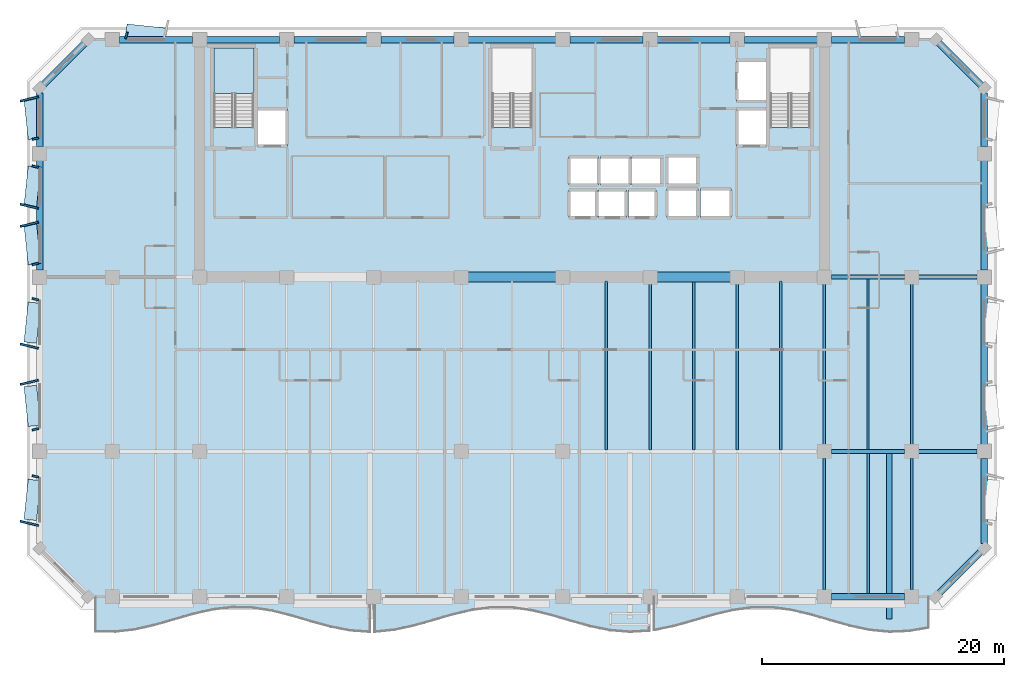
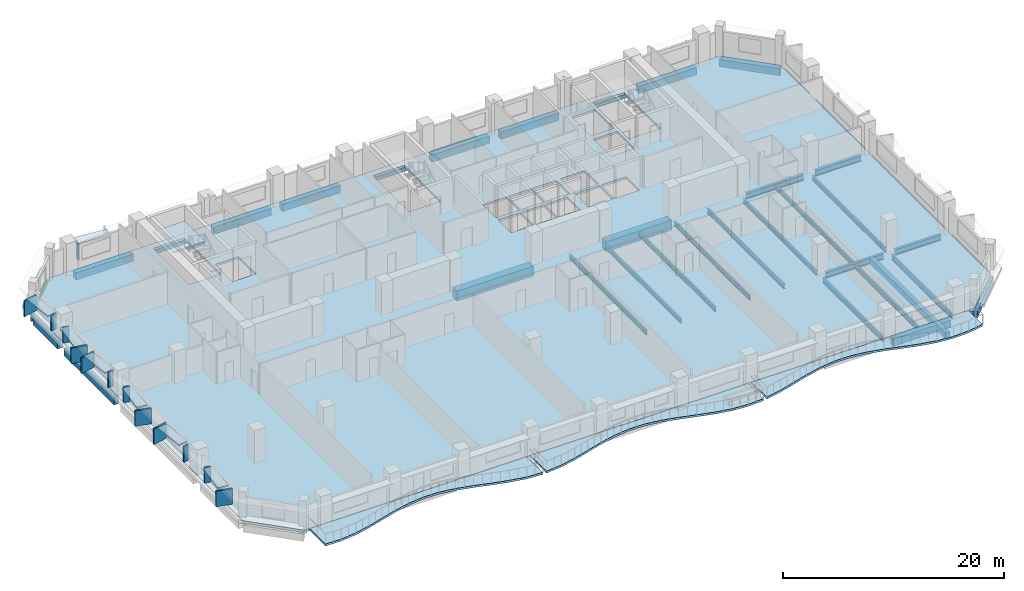
# One storey, part 2 of 14: 37 beams, 20 plates, 5 slabs, 1 element without a shape of its own.
"""IFC4 building model written with IfcOpenShell, lengths in metres."""

from ifc_helpers import new_model, si_unit, direction, frame, origin, origin_2d, place, context, subcontext, project, spatial, polyline, rectangle, i_section, outline, extrude, material, layer, layer_set, material_profile, profile_set, type_object, element, aggregate, save


model = new_model("IFC4")

# Units and contexts
model_context = context("Model", 3, precision=1e-05, world=origin(), true_north=direction((0.0, 1.0)))
body_context = subcontext(model_context, "Body", "Model", "MODEL_VIEW")
ifc_project = project(units=[si_unit("LENGTHUNIT", "METRE"), si_unit("AREAUNIT", "SQUARE_METRE"), si_unit("VOLUMEUNIT", "CUBIC_METRE"), si_unit("PLANEANGLEUNIT", "RADIAN"), si_unit("MASSUNIT", "GRAM", prefix="KILO")], contexts=[model_context])

# Site, building, storey
site_placement = place(None, origin())
site = spatial("IfcSite", under=ifc_project, at=site_placement, CompositionType="ELEMENT")
building_placement = place(site_placement, origin())
building = spatial("IfcBuilding", under=site, at=building_placement, Name="Kaelvorn Grand Hotel", CompositionType="ELEMENT")
storey_placement = place(building_placement, frame((0.0, 0.0, 209.14990234375)))
storey = spatial("IfcBuildingStorey", under=building, at=storey_placement, Name="L51", CompositionType="ELEMENT", Elevation=209.14990234375)

# Beams
ifc_material_1 = material(Name="Steel S355", Category="steel")
ifc_material_profile_1 = material_profile(ifc_material_1, i_section(OverallWidth=0.300048828125, OverallDepth=0.64990234375, WebThickness=0.01611328125, FlangeThickness=0.031005859375, FilletRadius=0.027099609375, at=origin_2d()), Name="HEB 650")
ifc_profile_set_1 = profile_set([ifc_material_profile_1], Name="Steel S355")
beam_type_1 = type_object("IfcBeamType", Name="BM-G-HEB650-S355", PredefinedType="BEAM", material=ifc_profile_set_1)
beam_1_placement = place(storey_placement, frame((68.385009765625, 15.0, -0.56494140625), z_axis=(1.0, 0.0, 0.0), x_axis=(0.0, 1.0, 0.0)))
element("IfcBeam", 1, at=beam_1_placement, inside=storey, type_object=beam_type_1, Name="L51 Primary Spine Steel Girder G-15 06", PredefinedType="BEAM", context=body_context, shape_type="SweptSolid", body=[
    extrude(i_section(OverallWidth=0.300048828125, OverallDepth=0.64990234375, WebThickness=0.01611328125, FlangeThickness=0.031005859375, FilletRadius=0.027099609375, at=origin_2d()), origin(), (0.0, 0.0, 1.0), 6.030029296875),
])
beam_2_placement = place(storey_placement, frame((75.5849609375, 15.0, -0.56494140625), z_axis=(1.0, 0.0, 0.0), x_axis=(0.0, 1.0, 0.0)))
element("IfcBeam", 2, at=beam_2_placement, inside=storey, type_object=beam_type_1, Name="L51 Primary Spine Steel Girder G-15 07", PredefinedType="BEAM", context=body_context, shape_type="SweptSolid", body=[
    extrude(i_section(OverallWidth=0.300048828125, OverallDepth=0.64990234375, WebThickness=0.01611328125, FlangeThickness=0.031005859375, FilletRadius=0.027099609375, at=origin_2d()), origin(), (0.0, 0.0, 1.0), 4.830078125),
])
beam_3_placement = place(storey_placement, frame((68.385009765625, 29.39990234375, -0.56494140625), z_axis=(1.0, 0.0, 0.0), x_axis=(0.0, 1.0, 0.0)))
element("IfcBeam", 3, at=beam_3_placement, inside=storey, type_object=beam_type_1, Name="L51 East Core Wing Steel Girder G-29E 01", PredefinedType="BEAM", context=body_context, shape_type="SweptSolid", body=[
    extrude(i_section(OverallWidth=0.300048828125, OverallDepth=0.64990234375, WebThickness=0.01611328125, FlangeThickness=0.031005859375, FilletRadius=0.027099609375, at=origin_2d()), origin(), (0.0, 0.0, 1.0), 6.030029296875),
])
beam_4_placement = place(storey_placement, frame((75.5849609375, 29.39990234375, -0.56494140625), z_axis=(1.0, 0.0, 0.0), x_axis=(0.0, 1.0, 0.0)))
element("IfcBeam", 4, at=beam_4_placement, inside=storey, type_object=beam_type_1, Name="L51 East Core Wing Steel Girder G-29E 02", PredefinedType="BEAM", context=body_context, shape_type="SweptSolid", body=[
    extrude(i_section(OverallWidth=0.300048828125, OverallDepth=0.64990234375, WebThickness=0.01611328125, FlangeThickness=0.031005859375, FilletRadius=0.027099609375, at=origin_2d()), origin(), (0.0, 0.0, 1.0), 4.830078125),
])
ifc_material_profile_2 = material_profile(ifc_material_1, i_section(OverallWidth=0.199951171875, OverallDepth=0.5, WebThickness=0.01025390625, FlangeThickness=0.01611328125, FilletRadius=0.02099609375, at=origin_2d()), Name="IPE 500")
ifc_profile_set_2 = profile_set([ifc_material_profile_2], Name="Steel S355")
beam_type_2 = type_object("IfcBeamType", Name="BM-J-IPE500-S355", PredefinedType="JOIST", material=ifc_profile_set_2)
beam_5_placement = place(storey_placement, frame((49.800048828125, 15.135009765625, -0.489990234375), z_axis=(0.0, 1.0, 0.0), x_axis=(-1.0, 0.0, 0.0)))
element("IfcBeam", 5, at=beam_5_placement, inside=storey, type_object=beam_type_2, Name="L51 Composite Floor Joist JM-14", PredefinedType="JOIST", context=body_context, shape_type="SweptSolid", body=[
    extrude(i_section(OverallWidth=0.199951171875, OverallDepth=0.5, WebThickness=0.01025390625, FlangeThickness=0.01611328125, FilletRadius=0.02099609375, at=origin_2d()), origin(), (0.0, 0.0, 1.0), 13.925048828125),
])
beam_6_placement = place(storey_placement, frame((53.39990234375, 15.135009765625, -0.489990234375), z_axis=(0.0, 1.0, 0.0), x_axis=(-1.0, 0.0, 0.0)))
element("IfcBeam", 6, at=beam_6_placement, inside=storey, type_object=beam_type_2, Name="L51 Composite Floor Joist JM-15", PredefinedType="JOIST", context=body_context, shape_type="SweptSolid", body=[
    extrude(i_section(OverallWidth=0.199951171875, OverallDepth=0.5, WebThickness=0.01025390625, FlangeThickness=0.01611328125, FilletRadius=0.02099609375, at=origin_2d()), origin(), (0.0, 0.0, 1.0), 13.679931640625),
])
beam_7_placement = place(storey_placement, frame((57.0, 15.135009765625, -0.489990234375), z_axis=(0.0, 1.0, 0.0), x_axis=(-1.0, 0.0, 0.0)))
element("IfcBeam", 7, at=beam_7_placement, inside=storey, type_object=beam_type_2, Name="L51 Composite Floor Joist JM-16", PredefinedType="JOIST", context=body_context, shape_type="SweptSolid", body=[
    extrude(i_section(OverallWidth=0.199951171875, OverallDepth=0.5, WebThickness=0.01025390625, FlangeThickness=0.01611328125, FilletRadius=0.02099609375, at=origin_2d()), origin(), (0.0, 0.0, 1.0), 13.925048828125),
])
beam_8_placement = place(storey_placement, frame((60.60009765625, 15.135009765625, -0.489990234375), z_axis=(0.0, 1.0, 0.0), x_axis=(-1.0, 0.0, 0.0)))
element("IfcBeam", 8, at=beam_8_placement, inside=storey, type_object=beam_type_2, Name="L51 Composite Floor Joist JM-17", PredefinedType="JOIST", context=body_context, shape_type="SweptSolid", body=[
    extrude(i_section(OverallWidth=0.199951171875, OverallDepth=0.5, WebThickness=0.01025390625, FlangeThickness=0.01611328125, FilletRadius=0.02099609375, at=origin_2d()), origin(), (0.0, 0.0, 1.0), 13.679931640625),
])
beam_9_placement = place(storey_placement, frame((64.199951171875, 15.135009765625, -0.489990234375), z_axis=(0.0, 1.0, 0.0), x_axis=(-1.0, 0.0, 0.0)))
element("IfcBeam", 9, at=beam_9_placement, inside=storey, type_object=beam_type_2, Name="L51 Composite Floor Joist JM-18", PredefinedType="JOIST", context=body_context, shape_type="SweptSolid", body=[
    extrude(i_section(OverallWidth=0.199951171875, OverallDepth=0.5, WebThickness=0.01025390625, FlangeThickness=0.01611328125, FilletRadius=0.02099609375, at=origin_2d()), origin(), (0.0, 0.0, 1.0), 13.925048828125),
])
beam_10_placement = place(storey_placement, frame((67.800048828125, 15.5849609375, -0.489990234375), z_axis=(0.0, 1.0, 0.0), x_axis=(-1.0, 0.0, 0.0)))
element("IfcBeam", 10, at=beam_10_placement, inside=storey, type_object=beam_type_2, Name="L51 Composite Floor Joist JM-19", PredefinedType="JOIST", context=body_context, shape_type="SweptSolid", body=[
    extrude(i_section(OverallWidth=0.199951171875, OverallDepth=0.5, WebThickness=0.01025390625, FlangeThickness=0.01611328125, FilletRadius=0.02099609375, at=origin_2d()), origin(), (0.0, 0.0, 1.0), 13.22998046875),
])
beam_11_placement = place(storey_placement, frame((71.39990234375, 15.135009765625, -0.489990234375), z_axis=(0.0, 1.0, 0.0), x_axis=(-1.0, 0.0, 0.0)))
element("IfcBeam", 11, at=beam_11_placement, inside=storey, type_object=beam_type_2, Name="L51 Composite Floor Joist JM-20", PredefinedType="JOIST", context=body_context, shape_type="SweptSolid", body=[
    extrude(i_section(OverallWidth=0.199951171875, OverallDepth=0.5, WebThickness=0.01025390625, FlangeThickness=0.01611328125, FilletRadius=0.02099609375, at=origin_2d()), origin(), (0.0, 0.0, 1.0), 14.1298828125),
])
beam_12_placement = place(storey_placement, frame((75.0, 15.5849609375, -0.489990234375), z_axis=(0.0, 1.0, 0.0), x_axis=(-1.0, 0.0, 0.0)))
element("IfcBeam", 12, at=beam_12_placement, inside=storey, type_object=beam_type_2, Name="L51 Composite Floor Joist JM-21", PredefinedType="JOIST", context=body_context, shape_type="SweptSolid", body=[
    extrude(i_section(OverallWidth=0.199951171875, OverallDepth=0.5, WebThickness=0.01025390625, FlangeThickness=0.01611328125, FilletRadius=0.02099609375, at=origin_2d()), origin(), (0.0, 0.0, 1.0), 13.22998046875),
])
ifc_material_profile_3 = material_profile(ifc_material_1, i_section(OverallWidth=0.2099609375, OverallDepth=0.550048828125, WebThickness=0.010986328125, FlangeThickness=0.01708984375, FilletRadius=0.02392578125, at=origin_2d()), Name="IPE 550")
ifc_profile_set_3 = profile_set([ifc_material_profile_3], Name="Steel S355")
beam_type_3 = type_object("IfcBeamType", Name="BM-J-IPE550-S355", PredefinedType="JOIST", material=ifc_profile_set_3)
beam_13_placement = place(storey_placement, frame((67.800048828125, 3.5849609375, -0.514892578125), z_axis=(0.0, 1.0, 0.0), x_axis=(-1.0, 0.0, 0.0)))
element("IfcBeam", 13, at=beam_13_placement, inside=storey, type_object=beam_type_3, Name="L51 Composite Floor Joist JS-19", PredefinedType="JOIST", context=body_context, shape_type="SweptSolid", body=[
    extrude(i_section(OverallWidth=0.2099609375, OverallDepth=0.550048828125, WebThickness=0.010986328125, FlangeThickness=0.01708984375, FilletRadius=0.02392578125, at=origin_2d()), origin(), (0.0, 0.0, 1.0), 10.830078125),
])
beam_14_placement = place(storey_placement, frame((71.39990234375, 3.260009765625, -0.514892578125), z_axis=(0.0, 1.0, 0.0), x_axis=(-1.0, 0.0, 0.0)))
element("IfcBeam", 14, at=beam_14_placement, inside=storey, type_object=beam_type_3, Name="L51 Composite Floor Joist JS-20", PredefinedType="JOIST", context=body_context, shape_type="SweptSolid", body=[
    extrude(i_section(OverallWidth=0.2099609375, OverallDepth=0.550048828125, WebThickness=0.010986328125, FlangeThickness=0.01708984375, FilletRadius=0.02392578125, at=origin_2d()), origin(), (0.0, 0.0, 1.0), 11.60498046875),
])
beam_15_placement = place(storey_placement, frame((75.0, 3.5849609375, -0.514892578125), z_axis=(0.0, 1.0, 0.0), x_axis=(-1.0, 0.0, 0.0)))
element("IfcBeam", 15, at=beam_15_placement, inside=storey, type_object=beam_type_3, Name="L51 Composite Floor Joist JS-21", PredefinedType="JOIST", context=body_context, shape_type="SweptSolid", body=[
    extrude(i_section(OverallWidth=0.2099609375, OverallDepth=0.550048828125, WebThickness=0.010986328125, FlangeThickness=0.01708984375, FilletRadius=0.02392578125, at=origin_2d()), origin(), (0.0, 0.0, 1.0), 10.830078125),
])
ifc_material_2 = material(Name="Concrete C60/75", Category="concrete")
ifc_material_profile_4 = material_profile(ifc_material_2, rectangle(XDim=0.800048828125, YDim=1.10009765625, at=origin_2d()), Name="RC LINTEL 800x1100")
ifc_profile_set_4 = profile_set([ifc_material_profile_4], Name="Concrete C60/75")
beam_type_4 = type_object("IfcBeamType", Name="BM-LIN-800x1100-C60", PredefinedType="LINTEL", material=ifc_profile_set_4)
beam_16_placement = place(storey_placement, frame((37.97998046875, 29.39990234375, -0.789794921875), z_axis=(1.0, 0.0, 0.0), x_axis=(0.0, 1.0, 0.0)))
element("IfcBeam", 16, at=beam_16_placement, inside=storey, type_object=beam_type_4, Name="L51 Rear-Core Coupling Lintel Beam CB1-02", PredefinedType="LINTEL", context=body_context, shape_type="SweptSolid", body=[
    extrude(rectangle(XDim=0.800048828125, YDim=1.10009765625, at=origin_2d()), origin(), (0.0, 0.0, 1.0), 8.0400390625),
])
beam_17_placement = place(storey_placement, frame((53.580078125, 29.39990234375, -0.789794921875), z_axis=(1.0, 0.0, 0.0), x_axis=(0.0, 1.0, 0.0)))
element("IfcBeam", 17, at=beam_17_placement, inside=storey, type_object=beam_type_4, Name="L51 Rear-Core Coupling Lintel Beam CB1-03", PredefinedType="LINTEL", context=body_context, shape_type="SweptSolid", body=[
    extrude(rectangle(XDim=0.800048828125, YDim=1.10009765625, at=origin_2d()), origin(), (0.0, 0.0, 1.0), 6.83984375),
])
ifc_material_3 = material(Name="Concrete C40/50", Category="concrete")
ifc_material_profile_5 = material_profile(ifc_material_3, rectangle(XDim=0.449951171875, YDim=0.64990234375, at=origin_2d()), Name="RC RIB 450x650")
ifc_profile_set_5 = profile_set([ifc_material_profile_5], Name="Concrete C40/50")
beam_type_5 = type_object("IfcBeamType", Name="BM-RIB-450x650-C40", PredefinedType="SPANDREL", material=ifc_profile_set_5)
beam_18_placement = place(storey_placement, frame((73.161865234375, 1.14990234375, -0.544921875), z_axis=(0.0, 1.0, 0.0), x_axis=(-1.0, 0.0, 0.0)))
element("IfcBeam", 18, at=beam_18_placement, inside=storey, type_object=beam_type_5, Name="L51 Cantilevered Balcony Back-Span Rib RB1-3", PredefinedType="SPANDREL", context=body_context, shape_type="SweptSolid", body=[
    extrude(rectangle(XDim=0.449951171875, YDim=0.64990234375, at=origin_2d()), origin(), (0.0, 0.0, 1.0), 13.715087890625),
])
ifc_material_4 = material(Name="Concrete C50/60", Category="concrete")
ifc_material_profile_6 = material_profile(ifc_material_4, rectangle(XDim=0.550048828125, YDim=0.800048828125, at=origin_2d()), Name="RC SPANDREL 550x800")
ifc_profile_set_6 = profile_set([ifc_material_profile_6], Name="Concrete C50/60")
beam_type_6 = type_object("IfcBeamType", Name="BM-SP-550x800-C50", PredefinedType="SPANDREL", material=ifc_profile_set_6)
for number, where, z_axis, x_axis, name in (
    (19, (68.385009765625, 3.0, -0.639892578125), (1.0, 0.0, 0.0), (0.0, 1.0, 0.0), "L51 South Perimeter Spandrel 10"),
    (20, (9.5849609375, 49.0, -0.639892578125), (1.0, 0.0, 0.0), (0.0, 1.0, 0.0), "L51 North Perimeter Spandrel 02"),
    (21, (16.784912109375, 49.0, -0.639892578125), (1.0, 0.0, 0.0), (0.0, 1.0, 0.0), "L51 North Perimeter Spandrel 03"),
):
    element("IfcBeam", number, at=place(storey_placement, frame(where, z_axis=z_axis, x_axis=x_axis)), inside=storey, type_object=beam_type_6, Name=name, PredefinedType="SPANDREL", context=body_context, shape_type="SweptSolid", body=[
        extrude(rectangle(XDim=0.550048828125, YDim=0.800048828125, at=origin_2d()), origin(), (0.0, 0.0, 1.0), 6.030029296875),
    ])
beam_19_placement = place(storey_placement, frame((23.985107421875, 49.0, -0.639892578125), z_axis=(1.0, 0.0, 0.0), x_axis=(0.0, 1.0, 0.0)))
element("IfcBeam", 22, at=beam_19_placement, inside=storey, type_object=beam_type_6, Name="L51 North Perimeter Spandrel 04", PredefinedType="SPANDREL", context=body_context, shape_type="SweptSolid", body=[
    extrude(rectangle(XDim=0.550048828125, YDim=0.800048828125, at=origin_2d()), origin(), (0.0, 0.0, 1.0), 6.02978515625),
])
beam_20_placement = place(storey_placement, frame((31.18505859375, 49.0, -0.639892578125), z_axis=(1.0, 0.0, 0.0), x_axis=(0.0, 1.0, 0.0)))
element("IfcBeam", 23, at=beam_20_placement, inside=storey, type_object=beam_type_6, Name="L51 North Perimeter Spandrel 05", PredefinedType="SPANDREL", context=body_context, shape_type="SweptSolid", body=[
    extrude(rectangle(XDim=0.550048828125, YDim=0.800048828125, at=origin_2d()), origin(), (0.0, 0.0, 1.0), 6.030029296875),
])
beam_21_placement = place(storey_placement, frame((38.385009765625, 49.0, -0.639892578125), z_axis=(1.0, 0.0, 0.0), x_axis=(0.0, 1.0, 0.0)))
element("IfcBeam", 24, at=beam_21_placement, inside=storey, type_object=beam_type_6, Name="L51 North Perimeter Spandrel 06", PredefinedType="SPANDREL", context=body_context, shape_type="SweptSolid", body=[
    extrude(rectangle(XDim=0.550048828125, YDim=0.800048828125, at=origin_2d()), origin(), (0.0, 0.0, 1.0), 7.22998046875),
])
beam_22_placement = place(storey_placement, frame((46.784912109375, 49.0, -0.639892578125), z_axis=(1.0, 0.0, 0.0), x_axis=(0.0, 1.0, 0.0)))
element("IfcBeam", 25, at=beam_22_placement, inside=storey, type_object=beam_type_6, Name="L51 North Perimeter Spandrel 07", PredefinedType="SPANDREL", context=body_context, shape_type="SweptSolid", body=[
    extrude(rectangle(XDim=0.550048828125, YDim=0.800048828125, at=origin_2d()), origin(), (0.0, 0.0, 1.0), 6.030029296875),
])
beam_23_placement = place(storey_placement, frame((53.985107421875, 49.0, -0.639892578125), z_axis=(1.0, 0.0, 0.0), x_axis=(0.0, 1.0, 0.0)))
element("IfcBeam", 26, at=beam_23_placement, inside=storey, type_object=beam_type_6, Name="L51 North Perimeter Spandrel 08", PredefinedType="SPANDREL", context=body_context, shape_type="SweptSolid", body=[
    extrude(rectangle(XDim=0.550048828125, YDim=0.800048828125, at=origin_2d()), origin(), (0.0, 0.0, 1.0), 6.02978515625),
])
for number, where, z_axis, x_axis, name in (
    (27, (61.18505859375, 49.0, -0.639892578125), (1.0, 0.0, 0.0), (0.0, 1.0, 0.0), "L51 North Perimeter Spandrel 09"),
    (28, (68.385009765625, 49.0, -0.639892578125), (1.0, 0.0, 0.0), (0.0, 1.0, 0.0), "L51 North Perimeter Spandrel 10"),
):
    element("IfcBeam", number, at=place(storey_placement, frame(where, z_axis=z_axis, x_axis=x_axis)), inside=storey, type_object=beam_type_6, Name=name, PredefinedType="SPANDREL", context=body_context, shape_type="SweptSolid", body=[
        extrude(rectangle(XDim=0.550048828125, YDim=0.800048828125, at=origin_2d()), origin(), (0.0, 0.0, 1.0), 6.030029296875),
    ])
beam_24_placement = place(storey_placement, frame((3.0, 29.985107421875, -0.639892578125), z_axis=(0.0, 1.0, 0.0), x_axis=(-1.0, 0.0, 0.0)))
element("IfcBeam", 29, at=beam_24_placement, inside=storey, type_object=beam_type_6, Name="L51 West Perimeter Spandrel 03", PredefinedType="SPANDREL", context=body_context, shape_type="SweptSolid", body=[
    extrude(rectangle(XDim=0.550048828125, YDim=0.800048828125, at=origin_2d()), origin(), (0.0, 0.0, 1.0), 9.02978515625),
])
beam_25_placement = place(storey_placement, frame((3.0, 40.18505859375, -0.639892578125), z_axis=(0.0, 1.0, 0.0), x_axis=(-1.0, 0.0, 0.0)))
element("IfcBeam", 30, at=beam_25_placement, inside=storey, type_object=beam_type_6, Name="L51 West Perimeter Spandrel 04", PredefinedType="SPANDREL", context=body_context, shape_type="SweptSolid", body=[
    extrude(rectangle(XDim=0.550048828125, YDim=0.800048828125, at=origin_2d()), origin(), (0.0, 0.0, 1.0), 4.409912109375),
])
beam_26_placement = place(storey_placement, frame((81.0, 7.405029296875, -0.639892578125), z_axis=(0.0, 1.0, 0.0), x_axis=(-1.0, 0.0, 0.0)))
element("IfcBeam", 31, at=beam_26_placement, inside=storey, type_object=beam_type_6, Name="L51 East Perimeter Spandrel 01", PredefinedType="SPANDREL", context=body_context, shape_type="SweptSolid", body=[
    extrude(rectangle(XDim=0.550048828125, YDim=0.800048828125, at=origin_2d()), origin(), (0.0, 0.0, 1.0), 7.010009765625),
])
beam_27_placement = place(storey_placement, frame((81.0, 15.5849609375, -0.639892578125), z_axis=(0.0, 1.0, 0.0), x_axis=(-1.0, 0.0, 0.0)))
element("IfcBeam", 32, at=beam_27_placement, inside=storey, type_object=beam_type_6, Name="L51 East Perimeter Spandrel 02", PredefinedType="SPANDREL", context=body_context, shape_type="SweptSolid", body=[
    extrude(rectangle(XDim=0.550048828125, YDim=0.800048828125, at=origin_2d()), origin(), (0.0, 0.0, 1.0), 13.22998046875),
])
beam_28_placement = place(storey_placement, frame((81.0, 29.985107421875, -0.639892578125), z_axis=(0.0, 1.0, 0.0), x_axis=(-1.0, 0.0, 0.0)))
element("IfcBeam", 33, at=beam_28_placement, inside=storey, type_object=beam_type_6, Name="L51 East Perimeter Spandrel 03", PredefinedType="SPANDREL", context=body_context, shape_type="SweptSolid", body=[
    extrude(rectangle(XDim=0.550048828125, YDim=0.800048828125, at=origin_2d()), origin(), (0.0, 0.0, 1.0), 9.02978515625),
])
beam_29_placement = place(storey_placement, frame((81.0, 40.18505859375, -0.639892578125), z_axis=(0.0, 1.0, 0.0), x_axis=(-1.0, 0.0, 0.0)))
element("IfcBeam", 34, at=beam_29_placement, inside=storey, type_object=beam_type_6, Name="L51 East Perimeter Spandrel 04", PredefinedType="SPANDREL", context=body_context, shape_type="SweptSolid", body=[
    extrude(rectangle(XDim=0.550048828125, YDim=0.800048828125, at=origin_2d()), origin(), (0.0, 0.0, 1.0), 4.409912109375),
])
for number, where, z_axis, x_axis, name in (
    (35, (77.0, 3.0, -0.639892578125), (0.707106781187, 0.707106781187, 0.0), (-0.707106781187, 0.707106781187, 0.0), "L51 Chamfer Spandrel Beam 1"),
    (36, (81.0, 45.0, -0.639892578125), (-0.707106781187, 0.707106781187, 0.0), (-0.707106781187, -0.707106781187, 0.0), "L51 Chamfer Spandrel Beam 2"),
    (37, (7.0, 49.0, -0.639892578125), (-0.707106781187, -0.707106781187, 0.0), (0.707106781187, -0.707106781187, 0.0), "L51 Chamfer Spandrel Beam 3"),
):
    element("IfcBeam", number, at=place(storey_placement, frame(where, z_axis=z_axis, x_axis=x_axis)), inside=storey, type_object=beam_type_6, Name=name, PredefinedType="SPANDREL", context=body_context, shape_type="SweptSolid", body=[
        extrude(rectangle(XDim=0.550048828125, YDim=0.800048828125, at=origin_2d()), origin(), (0.0, 0.0, 1.0), 5.65673828125),
    ])

# Plates
ifc_material_5 = material(Name="Precast concrete C45/55", Category="concrete")
ifc_layer_1 = layer(ifc_material_5, 0.159912109375)
ifc_layer_set_1 = layer_set([ifc_layer_1], Name="Precast concrete C45/55")
plate_type_1 = type_object("IfcPlateType", Name="PL-FRAME-DEEP-1550", PredefinedType="USERDEFINED", material=ifc_layer_set_1)
for number, where, z_axis, x_axis, name in (
    (38, (2.14501953125, 9.06005859375, 0.81494140625), (0.0, 0.0, 1.0), (0.233445363856, 0.972369920398, 0.0), "L51 Tilted Precast Window Frame Fin L-W01"),
    (39, (2.14501953125, 20.705078125, 0.81494140625), (0.0, 0.0, 1.0), (-0.233445363856, 0.972369920398, 0.0), "L51 Tilted Precast Window Frame Fin R-W02"),
    (40, (2.14501953125, 23.695068359375, 0.81494140625), (0.0, 0.0, 1.0), (0.233445363856, 0.972369920398, 0.0), "L51 Tilted Precast Window Frame Fin L-W03"),
    (41, (2.14501953125, 33.7548828125, 0.740234375), (0.0, 0.0, 1.0), (-0.233445363856, 0.972369920398, 0.0), "L51 Tilted Precast Window Frame Fin R-W04"),
    (42, (2.14501953125, 35.2451171875, 0.740234375), (0.0, 0.0, 1.0), (0.233445363856, 0.972369920398, 0.0), "L51 Tilted Precast Window Frame Fin L-W05"),
    (43, (2.14501953125, 44.10498046875, 0.740234375), (0.0, 0.0, 1.0), (-0.233445363856, 0.972369920398, 0.0), "L51 Tilted Precast Window Frame Fin R-W06"),
):
    element("IfcPlate", number, at=place(storey_placement, frame(where, z_axis=z_axis, x_axis=x_axis)), inside=storey, type_object=plate_type_1, Name=name, ObjectType="FLANGE_PLATE", PredefinedType="USERDEFINED", context=body_context, shape_type="SweptSolid", body=[
        extrude(rectangle(XDim=0.159912109375, YDim=1.550048828125, at=origin_2d()), origin(), (0.0, 0.0, 1.0), 1.719970703125),
    ])
ifc_layer_2 = layer(ifc_material_5, 0.159912109375)
ifc_layer_set_2 = layer_set([ifc_layer_2], Name="Precast concrete C45/55")
plate_type_2 = type_object("IfcPlateType", Name="PL-FRAME-HEAD-1050", PredefinedType="USERDEFINED", material=ifc_layer_set_2)
for number, where, z_axis, x_axis, name in (
    (44, (2.39501953125, 11.0, 2.5), (0.0, 0.0, 1.0), (0.105830199459, 0.994384215926, 0.0), "L51 Precast Window Frame Head Hood H-W01"),
    (45, (2.39501953125, 18.764892578125, 2.5), (0.0, 0.0, 1.0), (-0.105830199459, 0.994384215926, 0.0), "L51 Precast Window Frame Head Hood H-W02"),
    (46, (2.39501953125, 25.635009765625, 2.5), (0.0, 0.0, 1.0), (0.105830199459, 0.994384215926, 0.0), "L51 Precast Window Frame Head Hood H-W03"),
    (47, (2.39501953125, 32.114990234375, 2.35009765625), (0.0, 0.0, 1.0), (-0.105830199459, 0.994384215926, 0.0), "L51 Precast Window Frame Head Hood H-W04"),
    (48, (2.39501953125, 36.885009765625, 2.35009765625), (0.0, 0.0, 1.0), (0.105830199459, 0.994384215926, 0.0), "L51 Precast Window Frame Head Hood H-W05"),
    (49, (2.39501953125, 42.465087890625, 2.35009765625), (0.0, 0.0, 1.0), (-0.105830199459, 0.994384215926, 0.0), "L51 Precast Window Frame Head Hood H-W06"),
    (50, (11.800048828125, 49.60498046875, 2.35009765625), (0.0, 0.0, 1.0), (0.994384215926, -0.105830199459, 0.0), "L51 Precast Window Frame Head Hood H-N01"),
):
    element("IfcPlate", number, at=place(storey_placement, frame(where, z_axis=z_axis, x_axis=x_axis)), inside=storey, type_object=plate_type_2, Name=name, ObjectType="FLANGE_PLATE", PredefinedType="USERDEFINED", context=body_context, shape_type="SweptSolid", body=[
        extrude(rectangle(XDim=3.320068359375, YDim=1.050048828125, at=origin_2d()), origin(), (0.0, 0.0, 1.0), 0.159912109375),
    ])
ifc_layer_3 = layer(ifc_material_5, 0.159912109375)
ifc_layer_set_3 = layer_set([ifc_layer_3], Name="Precast concrete C45/55")
plate_type_3 = type_object("IfcPlateType", Name="PL-FRAME-SHAL-550", PredefinedType="USERDEFINED", material=ifc_layer_set_3)
for number, where, z_axis, x_axis, name in (
    (51, (2.64501953125, 12.93994140625, 0.81494140625), (0.0, 0.0, 1.0), (0.233445363856, 0.972369920398, 0.0), "L51 Tilted Precast Window Frame Fin R-W01"),
    (52, (2.64501953125, 16.824951171875, 0.81494140625), (0.0, 0.0, 1.0), (-0.233445363856, 0.972369920398, 0.0), "L51 Tilted Precast Window Frame Fin L-W02"),
    (53, (2.64501953125, 27.574951171875, 0.81494140625), (0.0, 0.0, 1.0), (0.233445363856, 0.972369920398, 0.0), "L51 Tilted Precast Window Frame Fin R-W03"),
    (54, (2.64501953125, 30.47509765625, 0.740234375), (0.0, 0.0, 1.0), (-0.233445363856, 0.972369920398, 0.0), "L51 Tilted Precast Window Frame Fin L-W04"),
    (55, (2.64501953125, 38.52490234375, 0.740234375), (0.0, 0.0, 1.0), (0.233445363856, 0.972369920398, 0.0), "L51 Tilted Precast Window Frame Fin R-W05"),
    (56, (2.64501953125, 40.824951171875, 0.740234375), (0.0, 0.0, 1.0), (-0.233445363856, 0.972369920398, 0.0), "L51 Tilted Precast Window Frame Fin L-W06"),
    (57, (10.159912109375, 49.35498046875, 0.740234375), (0.0, 0.0, 1.0), (0.972369920398, -0.233445363856, 0.0), "L51 Tilted Precast Window Frame Fin L-N01"),
):
    element("IfcPlate", number, at=place(storey_placement, frame(where, z_axis=z_axis, x_axis=x_axis)), inside=storey, type_object=plate_type_3, Name=name, ObjectType="FLANGE_PLATE", PredefinedType="USERDEFINED", context=body_context, shape_type="SweptSolid", body=[
        extrude(rectangle(XDim=0.159912109375, YDim=0.550048828125, at=origin_2d()), origin(), (0.0, 0.0, 1.0), 1.719970703125),
    ])

# Slabs
ifc_layer_4 = layer(ifc_material_3, 0.219970703125)
ifc_layer_set_4 = layer_set([ifc_layer_4], Name="Concrete C40/50")
slab_type_1 = type_object("IfcSlabType", Name="SLB-BALC-220-C40", PredefinedType="FLOOR", material=ifc_layer_set_4)
slab_1_placement = place(storey_placement, frame((0.0, 0.0, -0.219970703125)))
element("IfcSlab", 58, at=slab_1_placement, inside=storey, type_object=slab_type_1, Name="L51 Scalloped Wave Balcony Slab 1", PredefinedType="FLOOR", context=body_context, shape_type="SweptSolid", body=[
    extrude(outline(polyline([(7.60009765625, 0.150146484375), (9.218994140625, 0.112548828125), (10.838134765625, 0.29541015625), (12.45703125, 0.658935546875), (14.076171875, 1.123779296875), (15.6953125, 1.589111328125), (17.314208984375, 1.953125), (18.933349609375, 2.136962890625), (20.552490234375, 2.1005859375), (22.17138671875, 1.8515625), (23.79052734375, 1.4443359375), (25.409423828125, 0.9677734375), (27.028564453125, 0.525390625), (28.647705078125, 0.21337890625), (30.2666015625, 0.10009765625), (30.2666015625, 3.0), (7.60009765625, 3.0), (7.60009765625, 0.150146484375)])), origin(), (0.0, 0.0, 1.0), 0.219970703125),
])
slab_2_placement = place(storey_placement, frame((0.0, 0.0, -0.219970703125)))
element("IfcSlab", 59, at=slab_2_placement, inside=storey, type_object=slab_type_1, Name="L51 Scalloped Wave Balcony Slab 2", PredefinedType="FLOOR", context=body_context, shape_type="SweptSolid", body=[
    extrude(outline(polyline([(30.666748046875, 0.1064453125), (32.28564453125, 0.26953125), (33.90478515625, 0.618896484375), (35.52392578125, 1.078369140625), (37.142822265625, 1.548095703125), (38.761962890625, 1.92578125), (40.380859375, 2.12890625), (42.0, 2.113525390625), (43.619140625, 1.8828125), (45.238037109375, 1.4873046875), (46.857177734375, 1.0126953125), (48.47607421875, 0.562744140625), (50.09521484375, 0.235107421875), (51.71435546875, 0.10107421875), (53.333251953125, 0.190185546875), (53.333251953125, 3.0), (30.666748046875, 3.0), (30.666748046875, 0.1064453125)])), origin(), (0.0, 0.0, 1.0), 0.219970703125),
])
slab_3_placement = place(storey_placement, frame((0.0, 0.0, -0.219970703125)))
element("IfcSlab", 60, at=slab_3_placement, inside=storey, type_object=slab_type_1, Name="L51 Scalloped Wave Balcony Slab 3", PredefinedType="FLOOR", context=body_context, shape_type="SweptSolid", body=[
    extrude(outline(polyline([(53.7333984375, 0.245361328125), (55.352294921875, 0.579833984375), (56.971435546875, 1.033203125), (58.590576171875, 1.50634765625), (60.20947265625, 1.896484375), (61.82861328125, 2.11865234375), (63.447509765625, 2.12451171875), (65.066650390625, 1.912841796875), (66.685791015625, 1.529296875), (68.3046875, 1.05810546875), (69.923828125, 0.601318359375), (71.54296875, 0.258544921875), (73.161865234375, 0.1044921875), (74.781005859375, 0.172607421875), (76.39990234375, 0.447998046875), (76.39990234375, 3.0), (53.7333984375, 3.0), (53.7333984375, 0.245361328125)])), origin(), (0.0, 0.0, 1.0), 0.219970703125),
])
ifc_layer_5 = layer(ifc_material_3, 0.239990234375)
ifc_layer_set_5 = layer_set([ifc_layer_5], Name="Concrete C40/50")
slab_type_2 = type_object("IfcSlabType", Name="SLB-FLR-240-C40", PredefinedType="FLOOR", material=ifc_layer_set_5)
slab_4_placement = place(storey_placement, frame((0.0, 0.0, -0.239990234375)))
element("IfcSlab", 61, at=slab_4_placement, inside=storey, type_object=slab_type_2, Name="L51 Indoor Suspended Floor Slab", PredefinedType="FLOOR", context=body_context, shape_type="SweptSolid", body=[
    extrude(outline(polyline([(7.0, 3.0), (77.0, 3.0), (81.0, 7.0), (81.0, 45.0), (77.0, 49.0), (7.0, 49.0), (3.0, 45.0), (3.0, 7.0), (7.0, 3.0)]), holes=[polyline([(17.39990234375, 41.760009765625), (17.39990234375, 48.300048828125), (20.679931640625, 48.300048828125), (20.679931640625, 41.760009765625), (17.39990234375, 41.760009765625)]), polyline([(40.360107421875, 41.760009765625), (40.360107421875, 48.300048828125), (43.639892578125, 48.300048828125), (43.639892578125, 41.760009765625), (40.360107421875, 41.760009765625)]), polyline([(63.320068359375, 41.760009765625), (63.320068359375, 48.300048828125), (66.60009765625, 48.300048828125), (66.60009765625, 41.760009765625), (63.320068359375, 41.760009765625)]), polyline([(46.699951171875, 34.300048828125), (46.699951171875, 36.60009765625), (49.0, 36.60009765625), (49.0, 34.300048828125), (46.699951171875, 34.300048828125)]), polyline([(49.14990234375, 34.300048828125), (49.14990234375, 36.60009765625), (51.449951171875, 36.60009765625), (51.449951171875, 34.300048828125), (49.14990234375, 34.300048828125)]), polyline([(51.60009765625, 34.300048828125), (51.60009765625, 36.60009765625), (53.89990234375, 36.60009765625), (53.89990234375, 34.300048828125), (51.60009765625, 34.300048828125)]), polyline([(46.699951171875, 37.0), (46.699951171875, 39.35009765625), (49.14990234375, 39.35009765625), (49.14990234375, 37.0), (46.699951171875, 37.0)]), polyline([(49.300048828125, 37.0), (49.300048828125, 39.35009765625), (51.75, 39.35009765625), (51.75, 37.0), (49.300048828125, 37.0)]), polyline([(51.89990234375, 37.0), (51.89990234375, 39.35009765625), (54.35009765625, 39.35009765625), (54.35009765625, 37.0), (51.89990234375, 37.0)]), polyline([(54.800048828125, 34.300048828125), (54.800048828125, 36.699951171875), (57.35009765625, 36.699951171875), (57.35009765625, 34.300048828125), (54.800048828125, 34.300048828125)]), polyline([(57.550048828125, 34.300048828125), (57.550048828125, 36.699951171875), (60.10009765625, 36.699951171875), (60.10009765625, 34.300048828125), (57.550048828125, 34.300048828125)]), polyline([(54.800048828125, 37.0), (54.800048828125, 39.39990234375), (57.35009765625, 39.39990234375), (57.35009765625, 37.0), (54.800048828125, 37.0)]), polyline([(21.0, 40.199951171875), (21.0, 43.300048828125), (23.449951171875, 43.300048828125), (23.449951171875, 40.199951171875), (21.0, 40.199951171875)]), polyline([(60.550048828125, 40.199951171875), (60.550048828125, 43.300048828125), (63.0, 43.300048828125), (63.0, 40.199951171875), (60.550048828125, 40.199951171875)]), polyline([(60.550048828125, 43.89990234375), (60.550048828125, 47.300048828125), (63.0, 47.300048828125), (63.0, 43.89990234375), (60.550048828125, 43.89990234375)])]), origin(), (0.0, 0.0, 1.0), 0.239990234375),
])

# Stair, slab
stair_type = type_object("IfcStairType", Name="STR-DOG-1560-R08", PredefinedType="HALF_TURN_STAIR", material=ifc_material_3)
stair_placement = place(storey_placement, origin())
stair = element("IfcStair", 62, at=stair_placement, inside=storey, type_object=stair_type, Name="L51 West Core Exit Stair ST1", PredefinedType="HALF_TURN_STAIR")
ifc_layer_6 = layer(ifc_material_3, 0.199951171875)
ifc_layer_set_6 = layer_set([ifc_layer_6], Name="Concrete C40/50")
slab_type_3 = type_object("IfcSlabType", Name="SLB-LAND-200-C40", PredefinedType="LANDING", material=ifc_layer_set_6)
slab_5_placement = place(storey_placement, frame((0.0, 0.0, 1.7001953125)))
slab_5 = element("IfcSlab", 63, at=slab_5_placement, type_object=slab_type_3, Name="ST1 landing 1", PredefinedType="LANDING", context=body_context, shape_type="SweptSolid", body=[
    extrude(outline(polyline([(20.679931640625, 44.56005859375), (20.679931640625, 48.300048828125), (17.39990234375, 48.300048828125), (17.39990234375, 44.56005859375), (20.679931640625, 44.56005859375)])), origin(), (0.0, 0.0, 1.0), 0.199951171875),
])
aggregate(stair, [slab_5])

save(model, "model.ifc")
